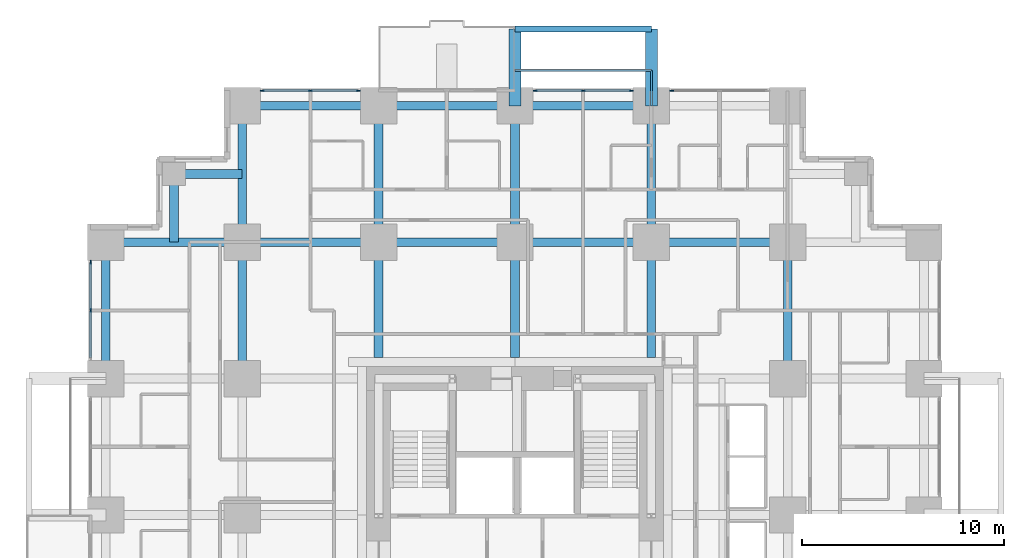
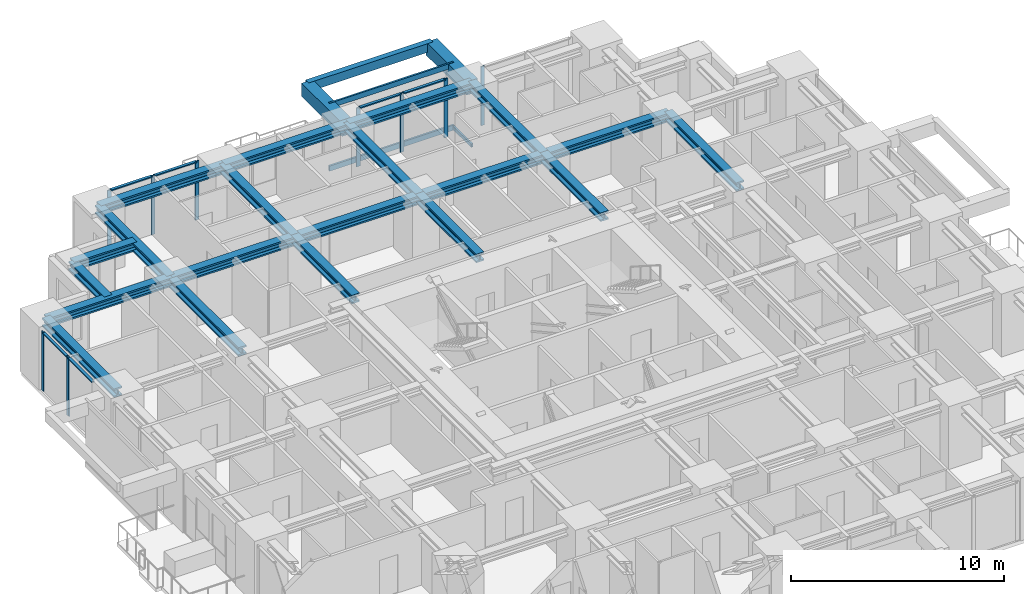
# One storey, part 5 of 14: 23 beams, 18 members, 4 elements without a shape of their own.
"""IFC4 building model written with IfcOpenShell, lengths in metres."""

from ifc_helpers import new_model, si_unit, direction, frame, origin, origin_2d, place, context, subcontext, project, spatial, rectangle, hollow_rectangle, i_section, extrude, material, material_profile, profile_set, type_object, element, aggregate, save


model = new_model("IFC4")

# Units and contexts
model_context = context("Model", 3, precision=1e-05, world=origin(), true_north=direction((0.0, 1.0)))
body_context = subcontext(model_context, "Body", "Model", "MODEL_VIEW")
ifc_project = project(units=[si_unit("LENGTHUNIT", "METRE"), si_unit("AREAUNIT", "SQUARE_METRE"), si_unit("VOLUMEUNIT", "CUBIC_METRE"), si_unit("PLANEANGLEUNIT", "RADIAN"), si_unit("MASSUNIT", "GRAM", prefix="KILO")], contexts=[model_context])

# Site, building, storey
site_placement = place(None, origin())
site = spatial("IfcSite", under=ifc_project, at=site_placement, CompositionType="ELEMENT")
building_placement = place(site_placement, origin())
building = spatial("IfcBuilding", under=site, at=building_placement, Name="Nyansa Garden Tower", CompositionType="ELEMENT")
storey_placement = place(building_placement, frame((0.0, 0.0, 54.0)))
storey = spatial("IfcBuildingStorey", under=building, at=storey_placement, Name="L14", CompositionType="ELEMENT", Elevation=54.0)

# Beams
ifc_material_1 = material(Name="Concrete C70/85", Category="concrete")
ifc_material_profile_1 = material_profile(ifc_material_1, rectangle(XDim=0.60009765625, YDim=0.75, at=origin_2d()), Name="RC 600x750")
ifc_profile_set_1 = profile_set([ifc_material_profile_1], Name="Concrete C70/85")
beam_type_1 = type_object("IfcBeamType", Name="Balcony cantilever beam CB1 RC 600x750", PredefinedType="BEAM", material=ifc_profile_set_1)
for number, where, z_axis, x_axis, name in (
    (1, (20.25, 40.5, 2.985107421875), (0.0, 1.0, 0.0), (-1.0, 0.0, 0.0), "Balcony cantilever beam L15"),
    (2, (27.0, 40.5, 2.985107421875), (0.0, 1.0, 0.0), (-1.0, 0.0, 0.0), "Balcony cantilever beam L15"),
):
    element("IfcBeam", number, at=place(storey_placement, frame(where, z_axis=z_axis, x_axis=x_axis)), inside=storey, type_object=beam_type_1, Name=name, PredefinedType="BEAM", context=body_context, shape_type="SweptSolid", body=[
        extrude(rectangle(XDim=0.60009765625, YDim=0.75, at=origin_2d()), origin(), (0.0, 0.0, 1.0), 3.800048828125),
    ])
ifc_material_2 = material(Name="Concrete C70/85", Category="concrete")
ifc_material_profile_2 = material_profile(ifc_material_2, rectangle(XDim=0.300048828125, YDim=0.5, at=origin_2d()), Name="RC 300x500")
ifc_profile_set_2 = profile_set([ifc_material_profile_2], Name="Concrete C70/85")
beam_type_2 = type_object("IfcBeamType", Name="Balcony edge beam BE1 RC 300x500", PredefinedType="BEAM", material=ifc_profile_set_2)
beam_1_placement = place(storey_placement, frame((20.25, 44.300048828125, 3.110107421875), z_axis=(1.0, 0.0, 0.0), x_axis=(0.0, 1.0, 0.0)))
element("IfcBeam", 3, at=beam_1_placement, inside=storey, type_object=beam_type_2, Name="Balcony edge beam L15", PredefinedType="BEAM", context=body_context, shape_type="SweptSolid", body=[
    extrude(rectangle(XDim=0.300048828125, YDim=0.5, at=origin_2d()), origin(), (0.0, 0.0, 1.0), 6.75),
])

# Curtain wall, members
ifc_material_3 = material(Name="Black anodised aluminium, dark tinted double glazing", Category="aluminium")
curtain_wall_type = type_object("IfcCurtainWallType", Name="Inner skin curtain wall ISW-A", PredefinedType="USERDEFINED", material=ifc_material_3)
curtain_wall_1_placement = place(storey_placement, origin())
curtain_wall_1 = element("IfcCurtainWall", 4, at=curtain_wall_1_placement, inside=storey, type_object=curtain_wall_type, Name="Inner skin curtain wall L14 N", ObjectType="UNITISED CURTAIN WALL", PredefinedType="USERDEFINED")
ifc_material_4 = material(Name="Black anodised aluminium", Category="aluminium")
ifc_material_profile_3 = material_profile(ifc_material_4, rectangle(XDim=0.06494140625, YDim=0.199951171875, at=origin_2d()), Name="Mullion 200x65")
ifc_profile_set_3 = profile_set([ifc_material_profile_3], Name="Black anodised aluminium")
member_type_1 = type_object("IfcMemberType", Name="Mullion ISW-A 200x65", PredefinedType="MULLION", material=ifc_profile_set_3)
member_1_placement = place(storey_placement, frame((12.5, 41.25, 0.0), z_axis=(0.0, 0.0, 1.0), x_axis=(0.0, -1.0, 0.0)))
member_1 = element("IfcMember", 5, at=member_1_placement, type_object=member_type_1, Name="ISW-A mullion 1", PredefinedType="MULLION", context=body_context, shape_type="SweptSolid", body=[
    extrude(rectangle(XDim=0.06494140625, YDim=0.199951171875, at=origin_2d()), origin(), (0.0, 0.0, 1.0), 3.375),
])
member_2_placement = place(storey_placement, frame((10.125, 41.25, 0.0), z_axis=(0.0, 0.0, 1.0), x_axis=(0.0, -1.0, 0.0)))
member_2 = element("IfcMember", 6, at=member_2_placement, type_object=member_type_1, Name="ISW-A mullion 2", PredefinedType="MULLION", context=body_context, shape_type="SweptSolid", body=[
    extrude(rectangle(XDim=0.06494140625, YDim=0.199951171875, at=origin_2d()), origin(), (0.0, 0.0, 1.0), 3.375),
])
member_3_placement = place(storey_placement, frame((7.75, 41.25, 0.0), z_axis=(0.0, 0.0, 1.0), x_axis=(0.0, -1.0, 0.0)))
member_3 = element("IfcMember", 7, at=member_3_placement, type_object=member_type_1, Name="ISW-A mullion 3", PredefinedType="MULLION", context=body_context, shape_type="SweptSolid", body=[
    extrude(rectangle(XDim=0.06494140625, YDim=0.199951171875, at=origin_2d()), origin(), (0.0, 0.0, 1.0), 3.375),
])

# Curtain wall, member
curtain_wall_2_placement = place(storey_placement, origin())
curtain_wall_2 = element("IfcCurtainWall", 8, at=curtain_wall_2_placement, inside=storey, type_object=curtain_wall_type, Name="Inner skin curtain wall L14 N", ObjectType="UNITISED CURTAIN WALL", PredefinedType="USERDEFINED")
member_4_placement = place(storey_placement, frame((28.0, 41.25, 0.0), z_axis=(0.0, 0.0, 1.0), x_axis=(0.0, -1.0, 0.0)))
member_4 = element("IfcMember", 9, at=member_4_placement, type_object=member_type_1, Name="ISW-A mullion 3", PredefinedType="MULLION", context=body_context, shape_type="SweptSolid", body=[
    extrude(rectangle(XDim=0.06494140625, YDim=0.199951171875, at=origin_2d()), origin(), (0.0, 0.0, 1.0), 3.375),
])
aggregate(curtain_wall_2, [member_4])

# Curtain wall, members
curtain_wall_3_placement = place(storey_placement, origin())
curtain_wall_3 = element("IfcCurtainWall", 10, at=curtain_wall_3_placement, inside=storey, type_object=curtain_wall_type, Name="Inner skin curtain wall L14 N", ObjectType="UNITISED CURTAIN WALL", PredefinedType="USERDEFINED")
member_5_placement = place(storey_placement, frame((26.0, 41.25, 0.0), z_axis=(0.0, 0.0, 1.0), x_axis=(0.0, -1.0, 0.0)))
member_5 = element("IfcMember", 11, at=member_5_placement, type_object=member_type_1, Name="ISW-A mullion 1", PredefinedType="MULLION", context=body_context, shape_type="SweptSolid", body=[
    extrude(rectangle(XDim=0.06494140625, YDim=0.199951171875, at=origin_2d()), origin(), (0.0, 0.0, 1.0), 3.375),
])
member_6_placement = place(storey_placement, frame((23.625, 41.25, 0.0), z_axis=(0.0, 0.0, 1.0), x_axis=(0.0, -1.0, 0.0)))
member_6 = element("IfcMember", 12, at=member_6_placement, type_object=member_type_1, Name="ISW-A mullion 2", PredefinedType="MULLION", context=body_context, shape_type="SweptSolid", body=[
    extrude(rectangle(XDim=0.06494140625, YDim=0.199951171875, at=origin_2d()), origin(), (0.0, 0.0, 1.0), 3.375),
])
member_7_placement = place(storey_placement, frame((21.25, 41.25, 0.0), z_axis=(0.0, 0.0, 1.0), x_axis=(0.0, -1.0, 0.0)))
member_7 = element("IfcMember", 13, at=member_7_placement, type_object=member_type_1, Name="ISW-A mullion 3", PredefinedType="MULLION", context=body_context, shape_type="SweptSolid", body=[
    extrude(rectangle(XDim=0.06494140625, YDim=0.199951171875, at=origin_2d()), origin(), (0.0, 0.0, 1.0), 3.375),
])

curtain_wall_4_placement = place(storey_placement, origin())
curtain_wall_4 = element("IfcCurtainWall", 14, at=curtain_wall_4_placement, inside=storey, type_object=curtain_wall_type, Name="Inner skin curtain wall L14 W", ObjectType="UNITISED CURTAIN WALL", PredefinedType="USERDEFINED")
member_8_placement = place(storey_placement, frame((-0.75, 32.75, 0.0), z_axis=(0.0, 0.0, 1.0), x_axis=(1.0, 0.0, 0.0)))
member_8 = element("IfcMember", 15, at=member_8_placement, type_object=member_type_1, Name="ISW-A mullion 1", PredefinedType="MULLION", context=body_context, shape_type="SweptSolid", body=[
    extrude(rectangle(XDim=0.06494140625, YDim=0.199951171875, at=origin_2d()), origin(), (0.0, 0.0, 1.0), 3.375),
])
member_9_placement = place(storey_placement, frame((-0.75, 30.375, 0.0), z_axis=(0.0, 0.0, 1.0), x_axis=(1.0, 0.0, 0.0)))
member_9 = element("IfcMember", 16, at=member_9_placement, type_object=member_type_1, Name="ISW-A mullion 2", PredefinedType="MULLION", context=body_context, shape_type="SweptSolid", body=[
    extrude(rectangle(XDim=0.06494140625, YDim=0.199951171875, at=origin_2d()), origin(), (0.0, 0.0, 1.0), 3.375),
])

# Members
ifc_material_5 = material(Name="Steel S355, black powder coated", Category="steel")
ifc_material_profile_4 = material_profile(ifc_material_5, hollow_rectangle(XDim=0.10009765625, YDim=0.199951171875, WallThickness=0.008056640625, at=origin_2d()), Name="RHS 200x100x8")
ifc_profile_set_4 = profile_set([ifc_material_profile_4], Name="Steel S355, black powder coated")
member_type_2 = type_object("IfcMemberType", Name="Outer skin bracket arm RHS 200x100x8", PredefinedType="USERDEFINED", material=ifc_profile_set_4)
member_10_placement = place(storey_placement, frame((27.0, 40.5, -0.375), z_axis=(0.0, 1.0, 0.0), x_axis=(-1.0, 0.0, 0.0)))
element("IfcMember", 17, at=member_10_placement, inside=storey, type_object=member_type_2, Name="Outer skin bracket arm", ObjectType="OUTER SKIN BRACKET", PredefinedType="USERDEFINED", context=body_context, shape_type="SweptSolid", body=[
    extrude(hollow_rectangle(XDim=0.10009765625, YDim=0.199951171875, WallThickness=0.008056640625, at=origin_2d()), origin(), (0.0, 0.0, 1.0), 1.75),
])
ifc_material_6 = material(Name="Steel S355, black powder coated", Category="steel")
ifc_material_profile_5 = material_profile(ifc_material_6, hollow_rectangle(XDim=0.10009765625, YDim=0.300048828125, WallThickness=0.010009765625, at=origin_2d()), Name="RHS 300x100x10")
ifc_profile_set_5 = profile_set([ifc_material_profile_5], Name="Steel S355, black powder coated")
member_type_3 = type_object("IfcMemberType", Name="Outer skin rail RHS 300x100x10", PredefinedType="USERDEFINED", material=ifc_profile_set_5)
for number, where, z_axis, x_axis, name in (
    (18, (20.25, 42.25, -0.375), (1.0, 0.0, 0.0), (0.0, 1.0, 0.0), "Outer skin rail L14"),
    (19, (20.25, 42.25, 3.22509765625), (1.0, 0.0, 0.0), (0.0, 1.0, 0.0), "Outer skin rail L14 head"),
):
    element("IfcMember", number, at=place(storey_placement, frame(where, z_axis=z_axis, x_axis=x_axis)), inside=storey, type_object=member_type_3, Name=name, ObjectType="OUTER SKIN RAIL", PredefinedType="USERDEFINED", context=body_context, shape_type="SweptSolid", body=[
        extrude(hollow_rectangle(XDim=0.10009765625, YDim=0.300048828125, WallThickness=0.010009765625, at=origin_2d()), origin(), (0.0, 0.0, 1.0), 6.75),
    ])

# Beams
ifc_material_7 = material(Name="Steel S355", Category="steel")
ifc_material_profile_6 = material_profile(ifc_material_7, i_section(OverallWidth=0.431884765625, OverallDepth=0.498046875, WebThickness=0.0556640625, FlangeThickness=0.0888671875, FilletRadius=0.014892578125, at=origin_2d()), Name="HD 400x744")
ifc_profile_set_6 = profile_set([ifc_material_profile_6], Name="Steel S355")
beam_type_3 = type_object("IfcBeamType", Name="Steel beam SBA1-744 HD 400x744", PredefinedType="BEAM", material=ifc_profile_set_6)
for number, where, z_axis, x_axis, name in (
    (20, (0.0, 33.75, 3.1259765625), (1.0, 0.0, 0.0), (0.0, 1.0, 0.0), "Steel beam 2/J-3/J L15"),
    (21, (6.75, 27.0, 3.1259765625), (0.0, 1.0, 0.0), (-1.0, 0.0, 0.0), "Steel beam 3/H-3/J L15"),
    (22, (6.75, 33.75, 3.1259765625), (0.0, 1.0, 0.0), (-1.0, 0.0, 0.0), "Steel beam 3/J-3/K L15"),
    (23, (6.75, 33.75, 3.1259765625), (1.0, 0.0, 0.0), (0.0, 1.0, 0.0), "Steel beam 3/J-4/J L15"),
):
    element("IfcBeam", number, at=place(storey_placement, frame(where, z_axis=z_axis, x_axis=x_axis)), inside=storey, type_object=beam_type_3, Name=name, PredefinedType="BEAM", context=body_context, shape_type="SweptSolid", body=[
        extrude(i_section(OverallWidth=0.431884765625, OverallDepth=0.498046875, WebThickness=0.0556640625, FlangeThickness=0.0888671875, FilletRadius=0.014892578125, at=origin_2d()), origin(), (0.0, 0.0, 1.0), 6.75),
    ])
beam_2_placement = place(storey_placement, frame((13.5, 28.050048828125, 3.1259765625), z_axis=(0.0, 1.0, 0.0), x_axis=(-1.0, 0.0, 0.0)))
element("IfcBeam", 24, at=beam_2_placement, inside=storey, type_object=beam_type_3, Name="Steel beam 4/28.050-4/J L15", PredefinedType="BEAM", context=body_context, shape_type="SweptSolid", body=[
    extrude(i_section(OverallWidth=0.431884765625, OverallDepth=0.498046875, WebThickness=0.0556640625, FlangeThickness=0.0888671875, FilletRadius=0.014892578125, at=origin_2d()), origin(), (0.0, 0.0, 1.0), 5.699951171875),
])
for number, where, z_axis, x_axis, name in (
    (25, (13.5, 33.75, 3.1259765625), (0.0, 1.0, 0.0), (-1.0, 0.0, 0.0), "Steel beam 4/J-4/K L15"),
    (26, (13.5, 33.75, 3.1259765625), (1.0, 0.0, 0.0), (0.0, 1.0, 0.0), "Steel beam 4/J-5/J L15"),
):
    element("IfcBeam", number, at=place(storey_placement, frame(where, z_axis=z_axis, x_axis=x_axis)), inside=storey, type_object=beam_type_3, Name=name, PredefinedType="BEAM", context=body_context, shape_type="SweptSolid", body=[
        extrude(i_section(OverallWidth=0.431884765625, OverallDepth=0.498046875, WebThickness=0.0556640625, FlangeThickness=0.0888671875, FilletRadius=0.014892578125, at=origin_2d()), origin(), (0.0, 0.0, 1.0), 6.75),
    ])
beam_3_placement = place(storey_placement, frame((20.25, 28.050048828125, 3.1259765625), z_axis=(0.0, 1.0, 0.0), x_axis=(-1.0, 0.0, 0.0)))
element("IfcBeam", 27, at=beam_3_placement, inside=storey, type_object=beam_type_3, Name="Steel beam 5/28.050-5/J L15", PredefinedType="BEAM", context=body_context, shape_type="SweptSolid", body=[
    extrude(i_section(OverallWidth=0.431884765625, OverallDepth=0.498046875, WebThickness=0.0556640625, FlangeThickness=0.0888671875, FilletRadius=0.014892578125, at=origin_2d()), origin(), (0.0, 0.0, 1.0), 5.699951171875),
])
for number, where, z_axis, x_axis, name in (
    (28, (20.25, 33.75, 3.1259765625), (0.0, 1.0, 0.0), (-1.0, 0.0, 0.0), "Steel beam 5/J-5/K L15"),
    (29, (20.25, 33.75, 3.1259765625), (1.0, 0.0, 0.0), (0.0, 1.0, 0.0), "Steel beam 5/J-6/J L15"),
):
    element("IfcBeam", number, at=place(storey_placement, frame(where, z_axis=z_axis, x_axis=x_axis)), inside=storey, type_object=beam_type_3, Name=name, PredefinedType="BEAM", context=body_context, shape_type="SweptSolid", body=[
        extrude(i_section(OverallWidth=0.431884765625, OverallDepth=0.498046875, WebThickness=0.0556640625, FlangeThickness=0.0888671875, FilletRadius=0.014892578125, at=origin_2d()), origin(), (0.0, 0.0, 1.0), 6.75),
    ])
beam_4_placement = place(storey_placement, frame((27.0, 28.050048828125, 3.1259765625), z_axis=(0.0, 1.0, 0.0), x_axis=(-1.0, 0.0, 0.0)))
element("IfcBeam", 30, at=beam_4_placement, inside=storey, type_object=beam_type_3, Name="Steel beam 6/28.050-6/J L15", PredefinedType="BEAM", context=body_context, shape_type="SweptSolid", body=[
    extrude(i_section(OverallWidth=0.431884765625, OverallDepth=0.498046875, WebThickness=0.0556640625, FlangeThickness=0.0888671875, FilletRadius=0.014892578125, at=origin_2d()), origin(), (0.0, 0.0, 1.0), 5.699951171875),
])
for number, where, z_axis, x_axis, name in (
    (31, (27.0, 33.75, 3.1259765625), (0.0, 1.0, 0.0), (-1.0, 0.0, 0.0), "Steel beam 6/J-6/K L15"),
    (32, (27.0, 33.75, 3.1259765625), (1.0, 0.0, 0.0), (0.0, 1.0, 0.0), "Steel beam 6/J-7/J L15"),
    (33, (33.75, 27.0, 3.1259765625), (0.0, 1.0, 0.0), (-1.0, 0.0, 0.0), "Steel beam 7/H-7/J L15"),
):
    element("IfcBeam", number, at=place(storey_placement, frame(where, z_axis=z_axis, x_axis=x_axis)), inside=storey, type_object=beam_type_3, Name=name, PredefinedType="BEAM", context=body_context, shape_type="SweptSolid", body=[
        extrude(i_section(OverallWidth=0.431884765625, OverallDepth=0.498046875, WebThickness=0.0556640625, FlangeThickness=0.0888671875, FilletRadius=0.014892578125, at=origin_2d()), origin(), (0.0, 0.0, 1.0), 6.75),
    ])
ifc_material_8 = material(Name="Steel S355", Category="steel")
ifc_material_profile_7 = material_profile(ifc_material_8, i_section(OverallWidth=0.431884765625, OverallDepth=0.498046875, WebThickness=0.0556640625, FlangeThickness=0.0888671875, FilletRadius=0.014892578125, at=origin_2d()), Name="HD 400x744")
ifc_profile_set_7 = profile_set([ifc_material_profile_7], Name="Steel S355")
beam_type_4 = type_object("IfcBeamType", Name="Steel beam SEBA-744 HD 400x744", PredefinedType="BEAM", material=ifc_profile_set_7)
for number, where, z_axis, x_axis, name in (
    (34, (0.0, 27.0, 3.1259765625), (0.0, 1.0, 0.0), (-1.0, 0.0, 0.0), "Steel edge beam 2/H-2/J L15"),
    (35, (6.75, 40.5, 3.1259765625), (1.0, 0.0, 0.0), (0.0, 1.0, 0.0), "Steel edge beam 3/K-4/K L15"),
    (36, (13.5, 40.5, 3.1259765625), (1.0, 0.0, 0.0), (0.0, 1.0, 0.0), "Steel edge beam 4/K-5/K L15"),
    (37, (20.25, 40.5, 3.1259765625), (1.0, 0.0, 0.0), (0.0, 1.0, 0.0), "Steel edge beam 5/K-6/K L15"),
):
    element("IfcBeam", number, at=place(storey_placement, frame(where, z_axis=z_axis, x_axis=x_axis)), inside=storey, type_object=beam_type_4, Name=name, PredefinedType="BEAM", context=body_context, shape_type="SweptSolid", body=[
        extrude(i_section(OverallWidth=0.431884765625, OverallDepth=0.498046875, WebThickness=0.0556640625, FlangeThickness=0.0888671875, FilletRadius=0.014892578125, at=origin_2d()), origin(), (0.0, 0.0, 1.0), 6.75),
    ])
ifc_material_9 = material(Name="Steel S355", Category="steel")
ifc_material_profile_8 = material_profile(ifc_material_9, i_section(OverallWidth=0.431884765625, OverallDepth=0.498046875, WebThickness=0.0556640625, FlangeThickness=0.0888671875, FilletRadius=0.014892578125, at=origin_2d()), Name="HD 400x744")
ifc_profile_set_8 = profile_set([ifc_material_profile_8], Name="Steel S355")
beam_type_5 = type_object("IfcBeamType", Name="Steel beam SSB1-744 HD 400x744", PredefinedType="BEAM", material=ifc_profile_set_8)
for number, where, z_axis, x_axis, name in (
    (38, (3.375, 37.125, 3.1259765625), (0.0, -1.0, 0.0), (1.0, 0.0, 0.0), "Steel step beam 3.375/37.125 L15"),
    (39, (3.375, 37.125, 3.1259765625), (1.0, 0.0, 0.0), (0.0, 1.0, 0.0), "Steel step beam 3.375/37.125 L15"),
):
    element("IfcBeam", number, at=place(storey_placement, frame(where, z_axis=z_axis, x_axis=x_axis)), inside=storey, type_object=beam_type_5, Name=name, PredefinedType="BEAM", context=body_context, shape_type="SweptSolid", body=[
        extrude(i_section(OverallWidth=0.431884765625, OverallDepth=0.498046875, WebThickness=0.0556640625, FlangeThickness=0.0888671875, FilletRadius=0.014892578125, at=origin_2d()), origin(), (0.0, 0.0, 1.0), 3.375),
    ])

# Member
ifc_material_10 = material(Name="Black anodised aluminium", Category="aluminium")
ifc_material_profile_9 = material_profile(ifc_material_10, rectangle(XDim=0.14990234375, YDim=0.06494140625, at=origin_2d()), Name="Transom 150x65")
ifc_profile_set_9 = profile_set([ifc_material_profile_9], Name="Black anodised aluminium")
member_type_4 = type_object("IfcMemberType", Name="Transom ISW-A 150x65", PredefinedType="USERDEFINED", material=ifc_profile_set_9)
member_11_placement = place(storey_placement, frame((12.467529296875, 41.25, 3.342529296875), z_axis=(-1.0, 0.0, 0.0), x_axis=(0.0, -1.0, 0.0)))
member_11 = element("IfcMember", 40, at=member_11_placement, type_object=member_type_4, Name="ISW-A transom 1", ObjectType="TRANSOM", PredefinedType="USERDEFINED", context=body_context, shape_type="SweptSolid", body=[
    extrude(rectangle(XDim=0.14990234375, YDim=0.06494140625, at=origin_2d()), origin(), (0.0, 0.0, 1.0), 2.31005859375),
])

member_12_placement = place(storey_placement, frame((10.092529296875, 41.25, 3.342529296875), z_axis=(-1.0, 0.0, 0.0), x_axis=(0.0, -1.0, 0.0)))
member_12 = element("IfcMember", 41, at=member_12_placement, type_object=member_type_4, Name="ISW-A transom 2", ObjectType="TRANSOM", PredefinedType="USERDEFINED", context=body_context, shape_type="SweptSolid", body=[
    extrude(rectangle(XDim=0.14990234375, YDim=0.06494140625, at=origin_2d()), origin(), (0.0, 0.0, 1.0), 2.31005859375),
])

aggregate(curtain_wall_1, [member_1, member_2, member_3, member_11, member_12])

member_13_placement = place(storey_placement, frame((25.967529296875, 41.25, 3.342529296875), z_axis=(-1.0, 0.0, 0.0), x_axis=(0.0, -1.0, 0.0)))
member_13 = element("IfcMember", 42, at=member_13_placement, type_object=member_type_4, Name="ISW-A transom 1", ObjectType="TRANSOM", PredefinedType="USERDEFINED", context=body_context, shape_type="SweptSolid", body=[
    extrude(rectangle(XDim=0.14990234375, YDim=0.06494140625, at=origin_2d()), origin(), (0.0, 0.0, 1.0), 2.31005859375),
])

member_14_placement = place(storey_placement, frame((23.592529296875, 41.25, 3.342529296875), z_axis=(-1.0, 0.0, 0.0), x_axis=(0.0, -1.0, 0.0)))
member_14 = element("IfcMember", 43, at=member_14_placement, type_object=member_type_4, Name="ISW-A transom 2", ObjectType="TRANSOM", PredefinedType="USERDEFINED", context=body_context, shape_type="SweptSolid", body=[
    extrude(rectangle(XDim=0.14990234375, YDim=0.06494140625, at=origin_2d()), origin(), (0.0, 0.0, 1.0), 2.31005859375),
])

aggregate(curtain_wall_3, [member_5, member_6, member_7, member_13, member_14])

member_15_placement = place(storey_placement, frame((-0.75, 32.717529296875, 3.342529296875), z_axis=(0.0, -1.0, 0.0), x_axis=(1.0, 0.0, 0.0)))
member_15 = element("IfcMember", 44, at=member_15_placement, type_object=member_type_4, Name="ISW-A transom 1", ObjectType="TRANSOM", PredefinedType="USERDEFINED", context=body_context, shape_type="SweptSolid", body=[
    extrude(rectangle(XDim=0.14990234375, YDim=0.06494140625, at=origin_2d()), origin(), (0.0, 0.0, 1.0), 2.31005859375),
])

member_16_placement = place(storey_placement, frame((-0.75, 30.342529296875, 3.342529296875), z_axis=(0.0, -1.0, 0.0), x_axis=(1.0, 0.0, 0.0)))
member_16 = element("IfcMember", 45, at=member_16_placement, type_object=member_type_4, Name="ISW-A transom 2", ObjectType="TRANSOM", PredefinedType="USERDEFINED", context=body_context, shape_type="SweptSolid", body=[
    extrude(rectangle(XDim=0.14990234375, YDim=0.06494140625, at=origin_2d()), origin(), (0.0, 0.0, 1.0), 2.31005859375),
])

aggregate(curtain_wall_4, [member_8, member_9, member_15, member_16])

save(model, "model.ifc")
